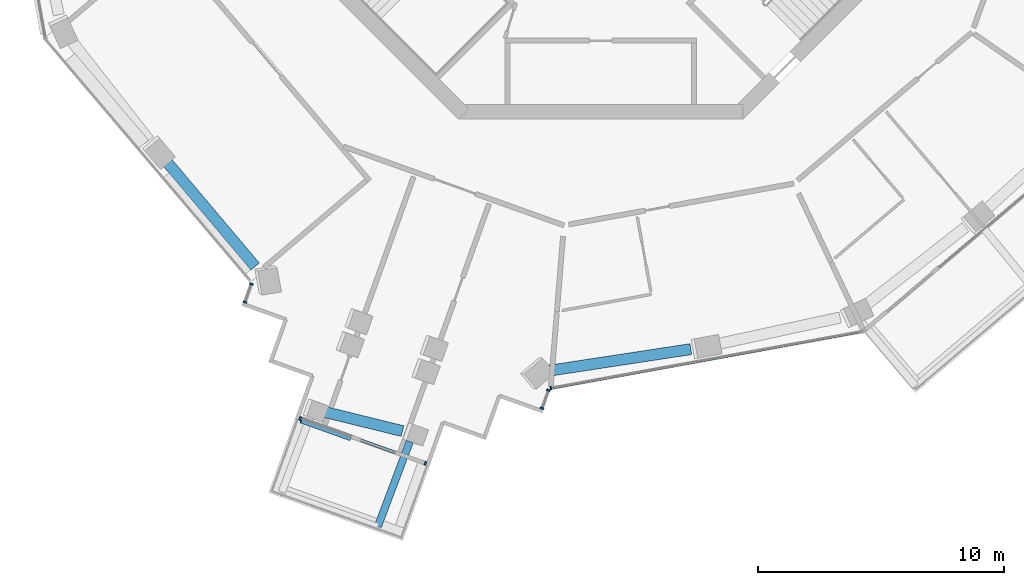
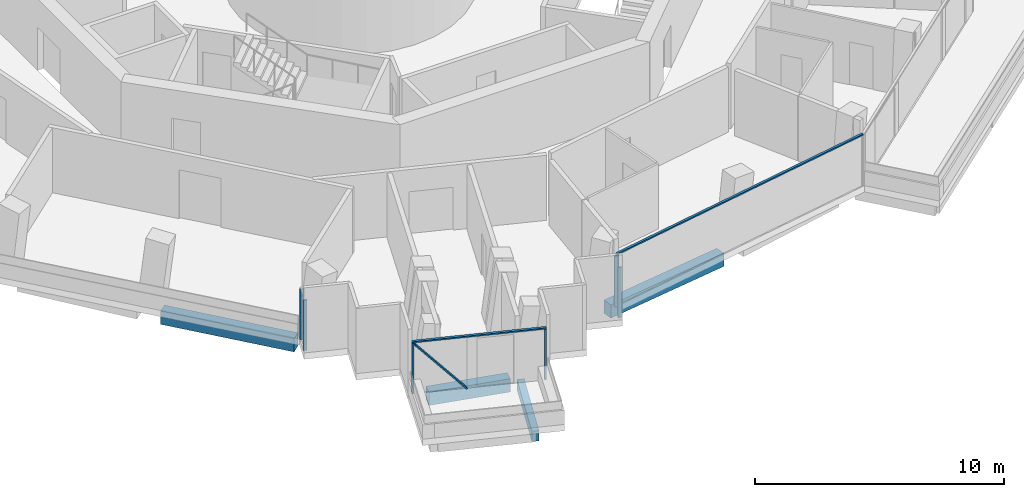
# One storey, part 2 of 21: 10 members, 4 beams, 4 elements without a shape of their own.
"""IFC4 building model written with IfcOpenShell, lengths in metres."""

from ifc_helpers import new_model, si_unit, direction, frame, origin, origin_2d, place, context, subcontext, project, spatial, rectangle, extrude, material, layer, layer_set, material_profile, profile_set, type_object, element, aggregate, save


model = new_model("IFC4")

# Units and contexts
model_context = context("Model", 3, precision=1e-05, world=origin(), true_north=direction((0.0, 1.0)))
body_context = subcontext(model_context, "Body", "Model", "MODEL_VIEW")
ifc_project = project(units=[si_unit("LENGTHUNIT", "METRE"), si_unit("AREAUNIT", "SQUARE_METRE"), si_unit("VOLUMEUNIT", "CUBIC_METRE"), si_unit("PLANEANGLEUNIT", "RADIAN"), si_unit("MASSUNIT", "GRAM", prefix="KILO")], contexts=[model_context])

# Site, building, storey
site_placement = place(None, origin())
site = spatial("IfcSite", under=ifc_project, at=site_placement, CompositionType="ELEMENT")
building_placement = place(site_placement, origin())
building = spatial("IfcBuilding", under=site, at=building_placement, Name="Verdalira Terraces Hotel", CompositionType="ELEMENT")
storey_placement = place(building_placement, frame((0.0, 0.0, 197.5)))
storey = spatial("IfcBuildingStorey", under=building, at=storey_placement, Name="L48", CompositionType="ELEMENT", Elevation=197.5)

# Beam
ifc_material_1 = material(Name="Concrete C40", Category="concrete")
ifc_material_profile_1 = material_profile(ifc_material_1, rectangle(XDim=0.300049, YDim=0.5, at=origin_2d()), Name="RC 300X500")
ifc_profile_set_1 = profile_set([ifc_material_profile_1], Name="Concrete C40")
beam_type_1 = type_object("IfcBeamType", Name="Balcony cantilever beam RC 300X500 C40", PredefinedType="BEAM", material=ifc_profile_set_1)
beam_1_placement = place(storey_placement, frame((-7.780029, -27.135742, -0.560059), z_axis=(-0.35249414, -0.935814021, 0.0), x_axis=(0.935814021, -0.35249414, 0.0)))
element("IfcBeam", 1, at=beam_1_placement, inside=storey, type_object=beam_type_1, Name="Balcony cantilever beam R19-2", PredefinedType="BEAM", context=body_context, shape_type="SweptSolid", body=[
    extrude(rectangle(XDim=0.300049, YDim=0.5, at=origin_2d()), origin(), (0.0, 0.0, 1.0), 3.688232),
])

# Curtain wall, members
ifc_material_2 = material(Name="Clear glass", Category="glass")
ifc_layer_1 = layer(ifc_material_2, 0.14990234375)
ifc_layer_set_1 = layer_set([ifc_layer_1], Name="CW1 curtain wall")
curtain_wall_type_1 = type_object("IfcCurtainWallType", Name="CW1 curtain wall", PredefinedType="NOTDEFINED", material=ifc_layer_set_1)
curtain_wall_1_placement = place(storey_placement, origin())
curtain_wall_1 = element("IfcCurtainWall", 2, at=curtain_wall_1_placement, inside=storey, type_object=curtain_wall_type_1, Name="CW1 curtain wall L48 edge 25", PredefinedType="NOTDEFINED")
ifc_material_3 = material(Name="Terracotta frame", Category="masonry")
ifc_material_profile_2 = material_profile(ifc_material_3, rectangle(XDim=0.060059, YDim=0.149902, at=origin_2d()), Name="MU 60x150")
ifc_profile_set_2 = profile_set([ifc_material_profile_2], Name="Terracotta frame")
member_type_1 = type_object("IfcMemberType", Name="CW1 mullion 60x150", PredefinedType="MULLION", material=ifc_profile_set_2)
member_1_placement = place(storey_placement, frame((-2.032959, -24.951172, 0.0), z_axis=(0.0, 0.0, 1.0), x_axis=(0.983822564, 0.179145645, 0.0)))
member_1 = element("IfcMember", 3, at=member_1_placement, type_object=member_type_1, Name="CW1 mullion", PredefinedType="MULLION", context=body_context, shape_type="SweptSolid", body=[
    extrude(rectangle(XDim=0.060059, YDim=0.149902, at=origin_2d()), origin(), (0.0, 0.0, 1.0), 2.475098),
])
ifc_material_4 = material(Name="Terracotta frame", Category="masonry")
ifc_material_profile_3 = material_profile(ifc_material_4, rectangle(XDim=0.110107, YDim=0.064941, at=origin_2d()), Name="TR 65x110")
ifc_profile_set_3 = profile_set([ifc_material_profile_3], Name="Terracotta frame")
member_type_2 = type_object("IfcMemberType", Name="CW1 transom 65x110", PredefinedType="USERDEFINED", material=ifc_profile_set_3)
member_2_placement = place(storey_placement, frame((-2.0625, -24.956543, 2.507568), z_axis=(0.983821649, 0.179150673, 0.0), x_axis=(-0.179150673, 0.983821649, 0.0)))
member_2 = element("IfcMember", 4, at=member_2_placement, type_object=member_type_2, Name="CW1 transom", ObjectType="TRANSOM", PredefinedType="USERDEFINED", context=body_context, shape_type="SweptSolid", body=[
    extrude(rectangle(XDim=0.110107, YDim=0.064941, at=origin_2d()), origin(), (0.0, 0.0, 1.0), 12.959961),
])
aggregate(curtain_wall_1, [member_1, member_2])

ifc_material_5 = material(Name="Clear glass", Category="glass")
ifc_layer_2 = layer(ifc_material_5, 0.14990234375)
ifc_layer_set_2 = layer_set([ifc_layer_2], Name="CW2 curtain wall")
curtain_wall_type_2 = type_object("IfcCurtainWallType", Name="CW2 curtain wall", PredefinedType="NOTDEFINED", material=ifc_layer_set_2)
curtain_wall_2_placement = place(storey_placement, origin())
curtain_wall_2 = element("IfcCurtainWall", 5, at=curtain_wall_2_placement, inside=storey, type_object=curtain_wall_type_2, Name="CW2 curtain wall L48 edge 14", PredefinedType="NOTDEFINED")
ifc_material_6 = material(Name="Terracotta frame", Category="masonry")
ifc_material_profile_4 = material_profile(ifc_material_6, rectangle(XDim=0.070068, YDim=0.149902, at=origin_2d()), Name="MU 70x150")
ifc_profile_set_4 = profile_set([ifc_material_profile_4], Name="Terracotta frame")
member_type_3 = type_object("IfcMemberType", Name="CW2 mullion 70x150", PredefinedType="MULLION", material=ifc_profile_set_4)
member_3_placement = place(storey_placement, frame((-14.230957, -20.710693, 0.0), z_axis=(0.0, 0.0, 1.0), x_axis=(-0.336766603, -0.941588156, 0.0)))
member_3 = element("IfcMember", 6, at=member_3_placement, type_object=member_type_3, Name="CW2 mullion", PredefinedType="MULLION", context=body_context, shape_type="SweptSolid", body=[
    extrude(rectangle(XDim=0.070068, YDim=0.149902, at=origin_2d()), origin(), (0.0, 0.0, 1.0), 2.475098),
])
member_4_placement = place(storey_placement, frame((-14.493652, -21.445068, 0.0), z_axis=(0.0, 0.0, 1.0), x_axis=(-0.336766603, -0.941588156, 0.0)))
member_4 = element("IfcMember", 7, at=member_4_placement, type_object=member_type_3, Name="CW2 mullion", PredefinedType="MULLION", context=body_context, shape_type="SweptSolid", body=[
    extrude(rectangle(XDim=0.070068, YDim=0.149902, at=origin_2d()), origin(), (0.0, 0.0, 1.0), 2.475098),
])
aggregate(curtain_wall_2, [member_3, member_4])

curtain_wall_3_placement = place(storey_placement, origin())
curtain_wall_3 = element("IfcCurtainWall", 8, at=curtain_wall_3_placement, inside=storey, type_object=curtain_wall_type_2, Name="CW2 curtain wall L48 edge 24", PredefinedType="NOTDEFINED")
member_5_placement = place(storey_placement, frame((-2.394043, -25.772461, 0.0), z_axis=(0.0, 0.0, 1.0), x_axis=(0.336766603, 0.941588156, 0.0)))
member_5 = element("IfcMember", 9, at=member_5_placement, type_object=member_type_3, Name="CW2 mullion", PredefinedType="MULLION", context=body_context, shape_type="SweptSolid", body=[
    extrude(rectangle(XDim=0.070068, YDim=0.149902, at=origin_2d()), origin(), (0.0, 0.0, 1.0), 2.475098),
])
member_6_placement = place(storey_placement, frame((-2.131592, -25.038086, 0.0), z_axis=(0.0, 0.0, 1.0), x_axis=(0.336766603, 0.941588156, 0.0)))
member_6 = element("IfcMember", 10, at=member_6_placement, type_object=member_type_3, Name="CW2 mullion", PredefinedType="MULLION", context=body_context, shape_type="SweptSolid", body=[
    extrude(rectangle(XDim=0.070068, YDim=0.149902, at=origin_2d()), origin(), (0.0, 0.0, 1.0), 2.475098),
])
aggregate(curtain_wall_3, [member_5, member_6])

ifc_material_7 = material(Name="Clear glass", Category="glass")
ifc_layer_3 = layer(ifc_material_7, 0.14990234375)
ifc_layer_set_3 = layer_set([ifc_layer_3], Name="CW3 curtain wall")
curtain_wall_type_3 = type_object("IfcCurtainWallType", Name="CW3 curtain wall", PredefinedType="NOTDEFINED", material=ifc_layer_set_3)
curtain_wall_4_placement = place(storey_placement, origin())
curtain_wall_4 = element("IfcCurtainWall", 11, at=curtain_wall_4_placement, inside=storey, type_object=curtain_wall_type_3, Name="CW3 curtain wall L48 edge 19", PredefinedType="NOTDEFINED")
ifc_material_8 = material(Name="Terracotta frame", Category="masonry")
ifc_material_profile_5 = material_profile(ifc_material_8, rectangle(XDim=0.080078, YDim=0.149902, at=origin_2d()), Name="MU 80x150")
ifc_profile_set_5 = profile_set([ifc_material_profile_5], Name="Terracotta frame")
member_type_4 = type_object("IfcMemberType", Name="CW3 mullion 80x150", PredefinedType="MULLION", material=ifc_profile_set_5)
member_7_placement = place(storey_placement, frame((-12.244873, -26.189453, 0.0), z_axis=(0.0, 0.0, 1.0), x_axis=(0.941588156, -0.336766603, 0.0)))
member_7 = element("IfcMember", 12, at=member_7_placement, type_object=member_type_4, Name="CW3 mullion", PredefinedType="MULLION", context=body_context, shape_type="SweptSolid", body=[
    extrude(rectangle(XDim=0.080078, YDim=0.149902, at=origin_2d()), origin(), (0.0, 0.0, 1.0), 2.475098),
])
member_8_placement = place(storey_placement, frame((-7.141602, -28.014648, 0.0), z_axis=(0.0, 0.0, 1.0), x_axis=(0.941588156, -0.336766603, 0.0)))
member_8 = element("IfcMember", 13, at=member_8_placement, type_object=member_type_4, Name="CW3 mullion", PredefinedType="MULLION", context=body_context, shape_type="SweptSolid", body=[
    extrude(rectangle(XDim=0.080078, YDim=0.149902, at=origin_2d()), origin(), (0.0, 0.0, 1.0), 2.475098),
])
ifc_material_9 = material(Name="Terracotta frame", Category="masonry")
ifc_material_profile_6 = material_profile(ifc_material_9, rectangle(XDim=0.120117, YDim=0.064941, at=origin_2d()), Name="TR 65x120")
ifc_profile_set_6 = profile_set([ifc_material_profile_6], Name="Terracotta frame")
member_type_5 = type_object("IfcMemberType", Name="CW3 transom 65x120", PredefinedType="USERDEFINED", material=ifc_profile_set_6)
member_9_placement = place(storey_placement, frame((-12.282715, -26.176025, 2.507568), z_axis=(0.941597206, -0.336741298, 0.0), x_axis=(0.336741298, 0.941597206, 0.0)))
member_9 = element("IfcMember", 14, at=member_9_placement, type_object=member_type_5, Name="CW3 transom", ObjectType="TRANSOM", PredefinedType="USERDEFINED", context=body_context, shape_type="SweptSolid", body=[
    extrude(rectangle(XDim=0.120117, YDim=0.064941, at=origin_2d()), origin(), (0.0, 0.0, 1.0), 5.5),
])
ifc_material_10 = material(Name="Terracotta frame", Category="masonry")
ifc_material_profile_7 = material_profile(ifc_material_10, rectangle(XDim=0.149902, YDim=0.060059, at=origin_2d()), Name="GB 60x150")
ifc_profile_set_7 = profile_set([ifc_material_profile_7], Name="Terracotta frame")
member_type_6 = type_object("IfcMemberType", Name="Diagonal glazing bar 60x150", PredefinedType="USERDEFINED", material=ifc_profile_set_7)
member_10_placement = place(storey_placement, frame((-12.216064, -26.298584, 2.447998), z_axis=(0.622322212, -0.222576873, -0.750449599), x_axis=(0.336764338, 0.941588966, 0.0)))
member_10 = element("IfcMember", 15, at=member_10_placement, type_object=member_type_6, Name="Diagonal glazing bar", ObjectType="GLAZING BAR", PredefinedType="USERDEFINED", context=body_context, shape_type="SweptSolid", body=[
    extrude(rectangle(XDim=0.149902, YDim=0.060059, at=origin_2d()), origin(), (0.0, 0.0, 1.0), 3.22583),
])
aggregate(curtain_wall_4, [member_7, member_8, member_9, member_10])

# Beams
ifc_material_11 = material(Name="Concrete C50", Category="concrete")
ifc_material_profile_8 = material_profile(ifc_material_11, rectangle(XDim=0.449951, YDim=0.649902, at=origin_2d()), Name="RC 450X650")
ifc_profile_set_8 = profile_set([ifc_material_profile_8], Name="Concrete C50")
beam_type_2 = type_object("IfcBeamType", Name="Spandrel beam RC 450X650 C50", PredefinedType="SPANDREL", material=ifc_profile_set_8)
beam_2_placement = place(storey_placement, frame((-17.758301, -15.639404, -0.63501), z_axis=(0.644738944, -0.764402835, 0.0), x_axis=(0.764402835, 0.644738944, 0.0)))
element("IfcBeam", 16, at=beam_2_placement, inside=storey, type_object=beam_type_2, Name="Spandrel beam B09", PredefinedType="SPANDREL", context=body_context, shape_type="SweptSolid", body=[
    extrude(rectangle(XDim=0.449951, YDim=0.649902, at=origin_2d()), origin(), (0.0, 0.0, 1.0), 5.706543),
])
beam_3_placement = place(storey_placement, frame((-11.382568, -25.889893, -0.63501), z_axis=(0.971075781, -0.238771495, 0.0), x_axis=(0.238771495, 0.971075781, 0.0)))
element("IfcBeam", 17, at=beam_3_placement, inside=storey, type_object=beam_type_2, Name="Spandrel beam B10", PredefinedType="SPANDREL", context=body_context, shape_type="SweptSolid", body=[
    extrude(rectangle(XDim=0.449951, YDim=0.649902, at=origin_2d()), origin(), (0.0, 0.0, 1.0), 3.404785),
])
beam_4_placement = place(storey_placement, frame((-2.078857, -24.239502, -0.63501), z_axis=(0.988595879, 0.150592788, 0.0), x_axis=(-0.150592788, 0.988595879, 0.0)))
element("IfcBeam", 18, at=beam_4_placement, inside=storey, type_object=beam_type_2, Name="Spandrel beam B11", PredefinedType="SPANDREL", context=body_context, shape_type="SweptSolid", body=[
    extrude(rectangle(XDim=0.449951, YDim=0.649902, at=origin_2d()), origin(), (0.0, 0.0, 1.0), 5.813721),
])

save(model, "model.ifc")
